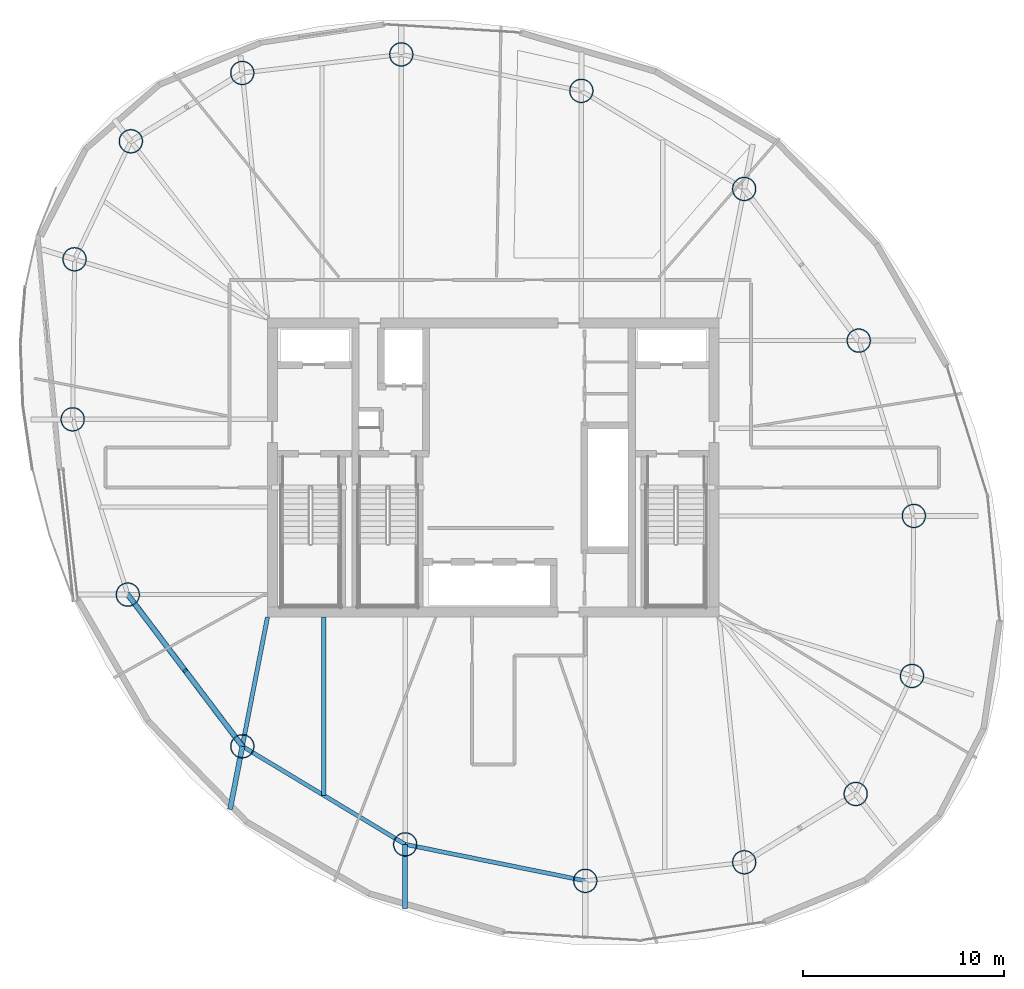
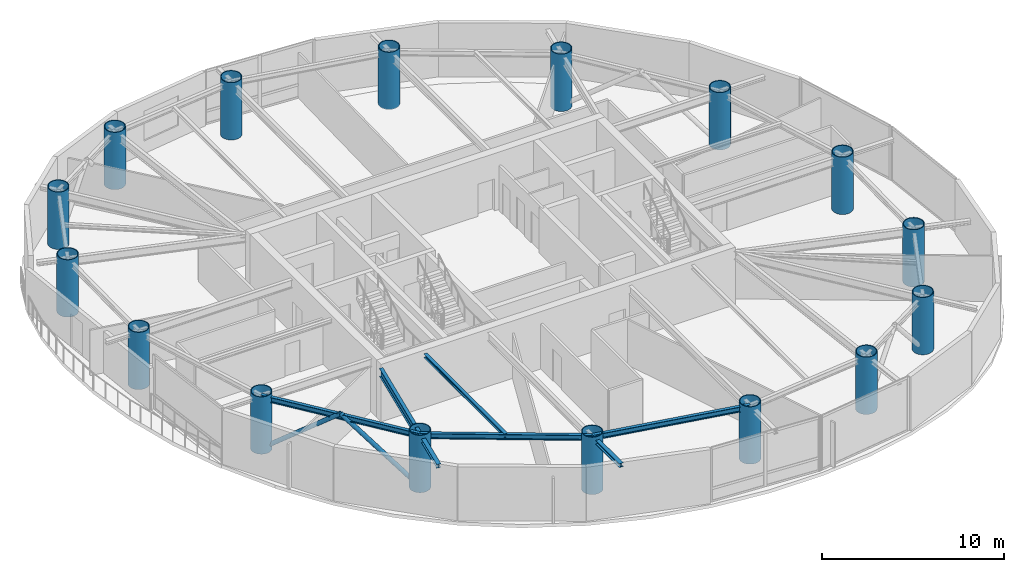
# One storey, part 1 of 18: 16 columns, 7 beams, 2 members.
"""IFC4 building model written with IfcOpenShell, lengths in metres."""

from ifc_helpers import new_model, si_unit, direction, frame, origin, origin_2d, place, context, subcontext, project, spatial, hollow_circle, i_section, extrude, material, material_profile, profile_set, type_object, element, save


model = new_model("IFC4")

# Units and contexts
model_context = context("Model", 3, precision=1e-05, world=origin(), true_north=direction((0.0, 1.0)))
body_context = subcontext(model_context, "Body", "Model", "MODEL_VIEW")
ifc_project = project(units=[si_unit("LENGTHUNIT", "METRE"), si_unit("AREAUNIT", "SQUARE_METRE"), si_unit("VOLUMEUNIT", "CUBIC_METRE"), si_unit("PLANEANGLEUNIT", "RADIAN"), si_unit("MASSUNIT", "GRAM", prefix="KILO")], contexts=[model_context])

# Site, building, storey
site_placement = place(None, origin())
site = spatial("IfcSite", under=ifc_project, at=site_placement, CompositionType="ELEMENT")
building_placement = place(site_placement, origin())
building = spatial("IfcBuilding", under=site, at=building_placement, Name="Bramvorn Convention Spire", CompositionType="ELEMENT")
storey_placement = place(building_placement, frame((0.0, 0.0, 182.75)))
storey = spatial("IfcBuildingStorey", under=building, at=storey_placement, Name="L46", CompositionType="ELEMENT", Elevation=182.75)

# Columns
ifc_material = material(Name="Steel CSA G40.21 Grade 350 (350W)", Category="steel")
ifc_material_profile_1 = material_profile(ifc_material, hollow_circle(Radius=0.60009765625, WallThickness=0.050048828125, at=origin_2d()))
ifc_profile_set_1 = profile_set([ifc_material_profile_1], Name="Steel CSA G40.21 Grade 350 (350W) - CFT1200X50")
column_type = type_object("IfcColumnType", Name="COL-CFT1200X50", PredefinedType="COLUMN", material=ifc_profile_set_1)
for number, where, z_axis, x_axis, name in (
    (1, (56.058349609375, 9.739990234375, 0.0), (0.0, 0.0, 1.0), (1.0, 0.0, 0.0), "L46 composite CFT mega-column MC01"),
    (2, (58.863037109375, 15.619384765625, 0.0), (0.0, 0.0, 1.0), (1.0, 0.0, 0.0), "L46 composite CFT mega-column MC02"),
    (3, (58.95458984375, 23.593505859375, 0.0), (0.0, 0.0, 1.0), (1.0, 0.0, 0.0), "L46 composite CFT mega-column MC03"),
    (4, (56.21044921875, 32.327392578125, 0.0), (0.0, 0.0, 1.0), (1.0, 0.0, 0.0), "L46 composite CFT mega-column MC04"),
    (5, (50.501953125, 39.885009765625, 0.0), (0.0, 0.0, 1.0), (1.0, 0.0, 0.0), "L46 composite CFT mega-column MC05"),
    (6, (42.38916015625, 44.772216796875, 0.0), (0.0, 0.0, 1.0), (1.0, 0.0, 0.0), "L46 composite CFT mega-column MC06"),
    (7, (33.416259765625, 46.58837890625, 0.0), (0.0, 0.0, 1.0), (1.0, 0.0, 0.0), "L46 composite CFT mega-column MC07"),
    (8, (25.49560546875, 45.663818359375, 0.0), (0.0, 0.0, 1.0), (1.0, 0.0, 0.0), "L46 composite CFT mega-column MC08"),
    (9, (19.941650390625, 42.260009765625, 0.0), (0.0, 0.0, 1.0), (1.0, 0.0, 0.0), "L46 composite CFT mega-column MC09"),
    (10, (17.136962890625, 36.380615234375, 0.0), (0.0, 0.0, 1.0), (1.0, 0.0, 0.0), "L46 composite CFT mega-column MC10"),
    (11, (17.04541015625, 28.406494140625, 0.0), (0.0, 0.0, 1.0), (1.0, 0.0, 0.0), "L46 composite CFT mega-column MC11"),
    (12, (19.78955078125, 19.672607421875, 0.0), (0.0, 0.0, 1.0), (1.0, 0.0, 0.0), "L46 composite CFT mega-column MC12"),
    (13, (25.498046875, 12.114990234375, 0.0), (0.0, 0.0, 1.0), (1.0, 0.0, 0.0), "L46 composite CFT mega-column MC13"),
    (14, (33.61083984375, 7.227783203125, 0.0), (0.0, 0.0, 1.0), (1.0, 0.0, 0.0), "L46 composite CFT mega-column MC14"),
    (15, (42.583740234375, 5.41162109375, 0.0), (0.0, 0.0, 1.0), (1.0, 0.0, 0.0), "L46 composite CFT mega-column MC15"),
    (16, (50.50439453125, 6.336181640625, 0.0), (0.0, 0.0, 1.0), (1.0, 0.0, 0.0), "L46 composite CFT mega-column MC16"),
):
    element("IfcColumn", number, at=place(storey_placement, frame(where, z_axis=z_axis, x_axis=x_axis)), inside=storey, type_object=column_type, Name=name, PredefinedType="COLUMN", context=body_context, shape_type="SweptSolid", body=[
        extrude(hollow_circle(Radius=0.60009765625, WallThickness=0.050048828125, at=origin_2d()), origin(), (0.0, 0.0, 1.0), 3.85009765625),
    ])

# Beams
ifc_material_profile_2 = material_profile(ifc_material, i_section(OverallWidth=0.201904296875, OverallDepth=0.2470703125, WebThickness=0.00732421875, FlangeThickness=0.010986328125, FilletRadius=0.011962890625, at=origin_2d()))
ifc_profile_set_2 = profile_set([ifc_material_profile_2], Name="Steel CSA G40.21 Grade 350 (350W) - W250X49")
beam_type_1 = type_object("IfcBeamType", Name="BM-W250X49", PredefinedType="JOIST", material=ifc_profile_set_2)
beam_1_placement = place(storey_placement, frame((29.554443359375, 18.550048828125, 3.49658203125), z_axis=(0.0, -1.0, 0.0), x_axis=(1.0, 0.0, 0.0)))
element("IfcBeam", 17, at=beam_1_placement, inside=storey, type_object=beam_type_1, Name="L46 composite floor joist 13", PredefinedType="JOIST", context=body_context, shape_type="SweptSolid", body=[
    extrude(i_section(OverallWidth=0.201904296875, OverallDepth=0.2470703125, WebThickness=0.00732421875, FlangeThickness=0.010986328125, FilletRadius=0.011962890625, at=origin_2d()), origin(), (0.0, 0.0, 1.0), 8.878662109375),
])
ifc_material_profile_3 = material_profile(ifc_material, i_section(OverallWidth=0.25390625, OverallDepth=0.2529296875, WebThickness=0.008544921875, FlangeThickness=0.01416015625, FilletRadius=0.011962890625, at=origin_2d()))
ifc_profile_set_3 = profile_set([ifc_material_profile_3], Name="Steel CSA G40.21 Grade 350 (350W) - W250X73")
beam_type_2 = type_object("IfcBeamType", Name="BM-W250X73", PredefinedType="BEAM", material=ifc_profile_set_3)
beam_2_placement = place(storey_placement, frame((25.498046875, 12.114990234375, 3.493408203125), z_axis=(-0.190977895588, -0.981594337492, 0.0), x_axis=(0.981594337492, -0.190977895588, 0.0)))
element("IfcBeam", 18, at=beam_2_placement, inside=storey, type_object=beam_type_2, Name="L46 slab-edge cantilever tip beam MC13", PredefinedType="BEAM", context=body_context, shape_type="SweptSolid", body=[
    extrude(i_section(OverallWidth=0.25390625, OverallDepth=0.2529296875, WebThickness=0.008544921875, FlangeThickness=0.01416015625, FilletRadius=0.011962890625, at=origin_2d()), origin(), (0.0, 0.0, 1.0), 3.19970703125),
])
beam_3_placement = place(storey_placement, frame((33.61083984375, 7.227783203125, 3.493408203125), z_axis=(0.0, -1.0, 0.0), x_axis=(1.0, 0.0, 0.0)))
element("IfcBeam", 19, at=beam_3_placement, inside=storey, type_object=beam_type_2, Name="L46 slab-edge cantilever tip beam MC14", PredefinedType="BEAM", context=body_context, shape_type="SweptSolid", body=[
    extrude(i_section(OverallWidth=0.25390625, OverallDepth=0.2529296875, WebThickness=0.008544921875, FlangeThickness=0.01416015625, FilletRadius=0.011962890625, at=origin_2d()), origin(), (0.0, 0.0, 1.0), 3.199951171875),
])
ifc_material_profile_4 = material_profile(ifc_material, i_section(OverallWidth=0.205078125, OverallDepth=0.35400390625, WebThickness=0.009521484375, FlangeThickness=0.016845703125, FilletRadius=0.014892578125, at=origin_2d()))
ifc_profile_set_4 = profile_set([ifc_material_profile_4], Name="Steel CSA G40.21 Grade 350 (350W) - W360X79")
beam_type_3 = type_object("IfcBeamType", Name="BM-W360X79", PredefinedType="JOIST", material=ifc_profile_set_4)
for number, where, z_axis, x_axis, name in (
    (20, (19.78955078125, 19.672607421875, 3.443115234375), (0.602718581414, -0.797953827999, 0.0), (0.797953827999, 0.602718581414, 0.0), "L46 mega-column ring beam 12"),
    (21, (25.498046875, 12.114990234375, 3.443115234375), (0.856581795745, -0.516011266543, 0.0), (0.516011266543, 0.856581795745, 0.0), "L46 mega-column ring beam 13"),
):
    element("IfcBeam", number, at=place(storey_placement, frame(where, z_axis=z_axis, x_axis=x_axis)), inside=storey, type_object=beam_type_3, Name=name, PredefinedType="JOIST", context=body_context, shape_type="SweptSolid", body=[
        extrude(i_section(OverallWidth=0.205078125, OverallDepth=0.35400390625, WebThickness=0.009521484375, FlangeThickness=0.016845703125, FilletRadius=0.014892578125, at=origin_2d()), origin(), (0.0, 0.0, 1.0), 9.47119140625),
    ])
beam_4_placement = place(storey_placement, frame((33.61083984375, 7.227783203125, 3.443115234375), z_axis=(0.980124701676, -0.198382381187, 0.0), x_axis=(0.198382381187, 0.980124701676, 0.0)))
element("IfcBeam", 22, at=beam_4_placement, inside=storey, type_object=beam_type_3, Name="L46 mega-column ring beam 14", PredefinedType="JOIST", context=body_context, shape_type="SweptSolid", body=[
    extrude(i_section(OverallWidth=0.205078125, OverallDepth=0.35400390625, WebThickness=0.009521484375, FlangeThickness=0.016845703125, FilletRadius=0.014892578125, at=origin_2d()), origin(), (0.0, 0.0, 1.0), 9.15478515625),
])
ifc_material_profile_5 = material_profile(ifc_material, i_section(OverallWidth=0.2119140625, OverallDepth=0.5439453125, WebThickness=0.01318359375, FlangeThickness=0.021240234375, FilletRadius=0.01904296875, at=origin_2d()))
ifc_profile_set_5 = profile_set([ifc_material_profile_5], Name="Steel CSA G40.21 Grade 350 (350W) - W530X123")
beam_type_4 = type_object("IfcBeamType", Name="BM-W530X123", PredefinedType="BEAM", material=ifc_profile_set_5)
beam_5_placement = place(storey_placement, frame((26.75, 18.550048828125, 3.347900390625), z_axis=(-0.190971329886, -0.981595614885, 0.0), x_axis=(0.981595614885, -0.190971329886, 0.0)))
element("IfcBeam", 23, at=beam_5_placement, inside=storey, type_object=beam_type_4, Name="L46 radial floor girder MC13", PredefinedType="BEAM", context=body_context, shape_type="SweptSolid", body=[
    extrude(i_section(OverallWidth=0.2119140625, OverallDepth=0.5439453125, WebThickness=0.01318359375, FlangeThickness=0.021240234375, FilletRadius=0.01904296875, at=origin_2d()), origin(), (0.0, 0.0, 1.0), 6.5556640625),
])

# Members
ifc_material_profile_6 = material_profile(ifc_material, hollow_circle(Radius=0.136474609375, WallThickness=0.0126953125, at=origin_2d()))
ifc_profile_set_6 = profile_set([ifc_material_profile_6], Name="Steel CSA G40.21 Grade 350 (350W) - CHS273X13")
member_type = type_object("IfcMemberType", Name="MBR-CHS273X13", PredefinedType="BRACE", material=ifc_profile_set_6)
for number, where, z_axis, x_axis, name in (
    (24, (19.78955078125, 19.672607421875, 0.0), (0.478834801206, -0.633941070316, 0.607318658137), (0.797953827999, 0.602718581414, 0.0), "L46 perimeter Gothic lancet brace 12A"),
    (25, (25.498046875, 12.114990234375, 0.0), (-0.478834801206, 0.633941070316, 0.607318658137), (-0.797953827999, -0.602718581414, 0.0), "L46 perimeter Gothic lancet brace 12B"),
):
    element("IfcMember", number, at=place(storey_placement, frame(where, z_axis=z_axis, x_axis=x_axis)), inside=storey, type_object=member_type, Name=name, PredefinedType="BRACE", context=body_context, shape_type="SweptSolid", body=[
        extrude(hollow_circle(Radius=0.136474609375, WallThickness=0.0126953125, at=origin_2d()), origin(), (0.0, 0.0, 1.0), 5.9609375),
    ])

save(model, "model.ifc")
